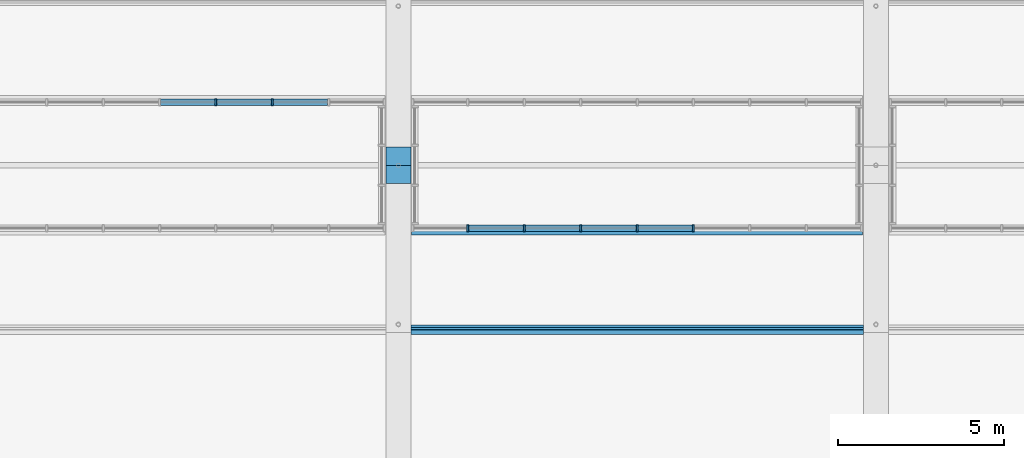
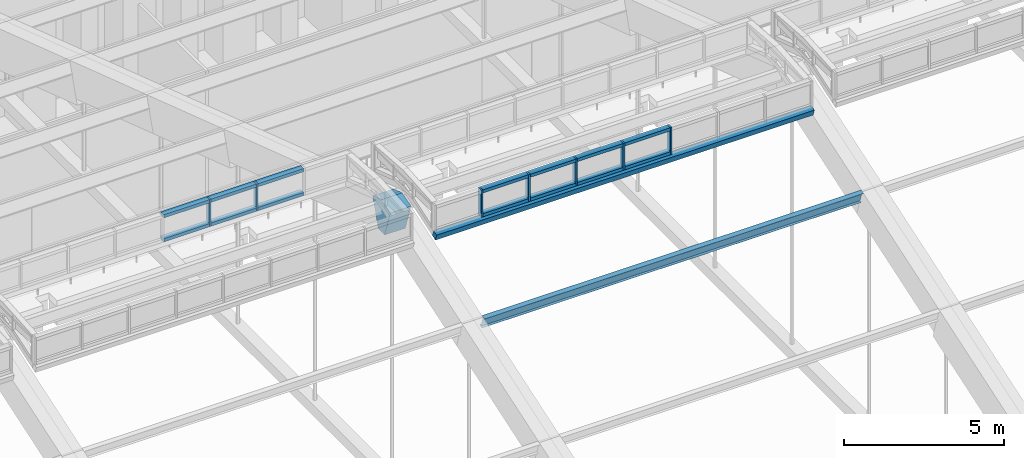
# One storey, part 58 of 149: 24 members, 2 elements without a shape of their own.
"""IFC4 building model written with IfcOpenShell, lengths in metres."""

from ifc_helpers import new_model, si_unit, direction, frame, origin, origin_2d, place, context, subcontext, project, spatial, polyline, rectangle, i_section, outline, extrude, material, material_profile, profile_set, type_object, element, aggregate, save


model = new_model("IFC4")

# Units and contexts
model_context = context("Model", 3, precision=1e-05, world=origin(), true_north=direction((0.0, 1.0)))
body_context = subcontext(model_context, "Body", "Model", "MODEL_VIEW")
ifc_project = project(units=[si_unit("LENGTHUNIT", "METRE"), si_unit("AREAUNIT", "SQUARE_METRE"), si_unit("VOLUMEUNIT", "CUBIC_METRE"), si_unit("PLANEANGLEUNIT", "RADIAN"), si_unit("MASSUNIT", "GRAM", prefix="KILO")], contexts=[model_context])

# Site, building, storey
site_placement = place(None, origin())
site = spatial("IfcSite", under=ifc_project, at=site_placement, CompositionType="ELEMENT")
building_placement = place(site_placement, origin())
building = spatial("IfcBuilding", under=site, at=building_placement, Name="Alderwick Market Hall", CompositionType="ELEMENT")
storey_placement = place(building_placement, frame((0.0, 0.0, 9.60009765625)))
storey = spatial("IfcBuildingStorey", under=building, at=storey_placement, Name="L01", CompositionType="ELEMENT", Elevation=9.60009765625)

# Curtain wall, members
ifc_material_1 = material(Name="Aluminium", Category="aluminium")
curtain_wall_type = type_object("IfcCurtainWallType", Name="R Curtain Wall Frame", PredefinedType="NOTDEFINED", material=ifc_material_1)
curtain_wall_1_placement = place(storey_placement, origin())
curtain_wall_1 = element("IfcCurtainWall", 1, at=curtain_wall_1_placement, inside=storey, type_object=curtain_wall_type, Name="Curtain wall LCW N4", PredefinedType="NOTDEFINED")
ifc_material_profile_1 = material_profile(ifc_material_1, rectangle(XDim=0.199951171875, YDim=0.06005859375, at=origin_2d()), Name="AL 60x200")
ifc_profile_set_1 = profile_set([ifc_material_profile_1], Name="Aluminium")
member_type_1 = type_object("IfcMemberType", Name="R CW Mullion 60x200", PredefinedType="MULLION", material=ifc_profile_set_1)
member_1_placement = place(storey_placement, frame((102.5, 81.10009765625, 16.670166015625), z_axis=(0.0, 0.0, 1.0), x_axis=(0.0, 1.0, 0.0)))
member_1 = element("IfcMember", 2, at=member_1_placement, type_object=member_type_1, Name="LCW N4 mullion 6", PredefinedType="MULLION", context=body_context, shape_type="SweptSolid", body=[
    extrude(rectangle(XDim=0.199951171875, YDim=0.06005859375, at=origin_2d()), origin(), (0.0, 0.0, 1.0), 1.02978515625),
])
member_2_placement = place(storey_placement, frame((104.199951171875, 81.10009765625, 16.670166015625), z_axis=(0.0, 0.0, 1.0), x_axis=(0.0, 1.0, 0.0)))
member_2 = element("IfcMember", 3, at=member_2_placement, type_object=member_type_1, Name="LCW N4 mullion 7", PredefinedType="MULLION", context=body_context, shape_type="SweptSolid", body=[
    extrude(rectangle(XDim=0.199951171875, YDim=0.06005859375, at=origin_2d()), origin(), (0.0, 0.0, 1.0), 1.02978515625),
])

curtain_wall_2_placement = place(storey_placement, origin())
curtain_wall_2 = element("IfcCurtainWall", 4, at=curtain_wall_2_placement, inside=storey, type_object=curtain_wall_type, Name="Curtain wall LCW S5", PredefinedType="NOTDEFINED")
member_3_placement = place(storey_placement, frame((110.10009765625, 77.300048828125, 16.670166015625), z_axis=(0.0, 0.0, 1.0), x_axis=(0.0, 1.0, 0.0)))
member_3 = element("IfcMember", 5, at=member_3_placement, type_object=member_type_1, Name="LCW S5 mullion 2", PredefinedType="MULLION", context=body_context, shape_type="SweptSolid", body=[
    extrude(rectangle(XDim=0.199951171875, YDim=0.06005859375, at=origin_2d()), origin(), (0.0, 0.0, 1.0), 1.02978515625),
])
member_4_placement = place(storey_placement, frame((111.800048828125, 77.300048828125, 16.670166015625), z_axis=(0.0, 0.0, 1.0), x_axis=(0.0, 1.0, 0.0)))
member_4 = element("IfcMember", 6, at=member_4_placement, type_object=member_type_1, Name="LCW S5 mullion 3", PredefinedType="MULLION", context=body_context, shape_type="SweptSolid", body=[
    extrude(rectangle(XDim=0.199951171875, YDim=0.06005859375, at=origin_2d()), origin(), (0.0, 0.0, 1.0), 1.02978515625),
])
member_5_placement = place(storey_placement, frame((113.5, 77.300048828125, 16.670166015625), z_axis=(0.0, 0.0, 1.0), x_axis=(0.0, 1.0, 0.0)))
member_5 = element("IfcMember", 7, at=member_5_placement, type_object=member_type_1, Name="LCW S5 mullion 4", PredefinedType="MULLION", context=body_context, shape_type="SweptSolid", body=[
    extrude(rectangle(XDim=0.199951171875, YDim=0.06005859375, at=origin_2d()), origin(), (0.0, 0.0, 1.0), 1.02978515625),
])
member_6_placement = place(storey_placement, frame((115.199951171875, 77.300048828125, 16.670166015625), z_axis=(0.0, 0.0, 1.0), x_axis=(0.0, 1.0, 0.0)))
member_6 = element("IfcMember", 8, at=member_6_placement, type_object=member_type_1, Name="LCW S5 mullion 5", PredefinedType="MULLION", context=body_context, shape_type="SweptSolid", body=[
    extrude(rectangle(XDim=0.199951171875, YDim=0.06005859375, at=origin_2d()), origin(), (0.0, 0.0, 1.0), 1.02978515625),
])
member_7_placement = place(storey_placement, frame((116.89990234375, 77.300048828125, 16.670166015625), z_axis=(0.0, 0.0, 1.0), x_axis=(0.0, 1.0, 0.0)))
member_7 = element("IfcMember", 9, at=member_7_placement, type_object=member_type_1, Name="LCW S5 mullion 6", PredefinedType="MULLION", context=body_context, shape_type="SweptSolid", body=[
    extrude(rectangle(XDim=0.199951171875, YDim=0.06005859375, at=origin_2d()), origin(), (0.0, 0.0, 1.0), 1.02978515625),
])

# Member
ifc_material_profile_2 = material_profile(ifc_material_1, rectangle(XDim=0.199951171875, YDim=0.1201171875, at=origin_2d()), Name="AL 120x200")
ifc_profile_set_2 = profile_set([ifc_material_profile_2], Name="Aluminium")
member_type_2 = type_object("IfcMemberType", Name="R CW Transom 120x200", PredefinedType="USERDEFINED", material=ifc_profile_set_2)
member_8_placement = place(storey_placement, frame((100.830078125, 81.10009765625, 16.730224609375), z_axis=(1.0, 0.0, 0.0), x_axis=(0.0, 1.0, 0.0)))
member_8 = element("IfcMember", 10, at=member_8_placement, type_object=member_type_2, Name="LCW N4 sill transom 5", ObjectType="TRANSOM", PredefinedType="USERDEFINED", context=body_context, shape_type="SweptSolid", body=[
    extrude(rectangle(XDim=0.199951171875, YDim=0.1201171875, at=origin_2d()), origin(), (0.0, 0.0, 1.0), 1.639892578125),
])

member_9_placement = place(storey_placement, frame((100.830078125, 81.10009765625, 17.639892578125), z_axis=(1.0, 0.0, 0.0), x_axis=(0.0, 1.0, 0.0)))
member_9 = element("IfcMember", 11, at=member_9_placement, type_object=member_type_2, Name="LCW N4 head transom 5", ObjectType="TRANSOM", PredefinedType="USERDEFINED", context=body_context, shape_type="SweptSolid", body=[
    extrude(rectangle(XDim=0.199951171875, YDim=0.1201171875, at=origin_2d()), origin(), (0.0, 0.0, 1.0), 1.639892578125),
])

member_10_placement = place(storey_placement, frame((102.530029296875, 81.10009765625, 16.730224609375), z_axis=(1.0, 0.0, 0.0), x_axis=(0.0, 1.0, 0.0)))
member_10 = element("IfcMember", 12, at=member_10_placement, type_object=member_type_2, Name="LCW N4 sill transom 6", ObjectType="TRANSOM", PredefinedType="USERDEFINED", context=body_context, shape_type="SweptSolid", body=[
    extrude(rectangle(XDim=0.199951171875, YDim=0.1201171875, at=origin_2d()), origin(), (0.0, 0.0, 1.0), 1.639892578125),
])

member_11_placement = place(storey_placement, frame((102.530029296875, 81.10009765625, 17.639892578125), z_axis=(1.0, 0.0, 0.0), x_axis=(0.0, 1.0, 0.0)))
member_11 = element("IfcMember", 13, at=member_11_placement, type_object=member_type_2, Name="LCW N4 head transom 6", ObjectType="TRANSOM", PredefinedType="USERDEFINED", context=body_context, shape_type="SweptSolid", body=[
    extrude(rectangle(XDim=0.199951171875, YDim=0.1201171875, at=origin_2d()), origin(), (0.0, 0.0, 1.0), 1.639892578125),
])

member_12_placement = place(storey_placement, frame((104.22998046875, 81.10009765625, 16.730224609375), z_axis=(1.0, 0.0, 0.0), x_axis=(0.0, 1.0, 0.0)))
member_12 = element("IfcMember", 14, at=member_12_placement, type_object=member_type_2, Name="LCW N4 sill transom 7", ObjectType="TRANSOM", PredefinedType="USERDEFINED", context=body_context, shape_type="SweptSolid", body=[
    extrude(rectangle(XDim=0.199951171875, YDim=0.1201171875, at=origin_2d()), origin(), (0.0, 0.0, 1.0), 1.64013671875),
])

member_13_placement = place(storey_placement, frame((104.22998046875, 81.10009765625, 17.639892578125), z_axis=(1.0, 0.0, 0.0), x_axis=(0.0, 1.0, 0.0)))
member_13 = element("IfcMember", 15, at=member_13_placement, type_object=member_type_2, Name="LCW N4 head transom 7", ObjectType="TRANSOM", PredefinedType="USERDEFINED", context=body_context, shape_type="SweptSolid", body=[
    extrude(rectangle(XDim=0.199951171875, YDim=0.1201171875, at=origin_2d()), origin(), (0.0, 0.0, 1.0), 1.64013671875),
])

aggregate(curtain_wall_1, [member_1, member_2, member_8, member_9, member_10, member_11, member_12, member_13])

member_14_placement = place(storey_placement, frame((110.1298828125, 77.300048828125, 16.730224609375), z_axis=(1.0, 0.0, 0.0), x_axis=(0.0, 1.0, 0.0)))
member_14 = element("IfcMember", 16, at=member_14_placement, type_object=member_type_2, Name="LCW S5 sill transom 2", ObjectType="TRANSOM", PredefinedType="USERDEFINED", context=body_context, shape_type="SweptSolid", body=[
    extrude(rectangle(XDim=0.199951171875, YDim=0.1201171875, at=origin_2d()), origin(), (0.0, 0.0, 1.0), 1.64013671875),
])

member_15_placement = place(storey_placement, frame((110.1298828125, 77.300048828125, 17.639892578125), z_axis=(1.0, 0.0, 0.0), x_axis=(0.0, 1.0, 0.0)))
member_15 = element("IfcMember", 17, at=member_15_placement, type_object=member_type_2, Name="LCW S5 head transom 2", ObjectType="TRANSOM", PredefinedType="USERDEFINED", context=body_context, shape_type="SweptSolid", body=[
    extrude(rectangle(XDim=0.199951171875, YDim=0.1201171875, at=origin_2d()), origin(), (0.0, 0.0, 1.0), 1.64013671875),
])

member_16_placement = place(storey_placement, frame((111.830078125, 77.300048828125, 16.730224609375), z_axis=(1.0, 0.0, 0.0), x_axis=(0.0, 1.0, 0.0)))
member_16 = element("IfcMember", 18, at=member_16_placement, type_object=member_type_2, Name="LCW S5 sill transom 3", ObjectType="TRANSOM", PredefinedType="USERDEFINED", context=body_context, shape_type="SweptSolid", body=[
    extrude(rectangle(XDim=0.199951171875, YDim=0.1201171875, at=origin_2d()), origin(), (0.0, 0.0, 1.0), 1.639892578125),
])

member_17_placement = place(storey_placement, frame((111.830078125, 77.300048828125, 17.639892578125), z_axis=(1.0, 0.0, 0.0), x_axis=(0.0, 1.0, 0.0)))
member_17 = element("IfcMember", 19, at=member_17_placement, type_object=member_type_2, Name="LCW S5 head transom 3", ObjectType="TRANSOM", PredefinedType="USERDEFINED", context=body_context, shape_type="SweptSolid", body=[
    extrude(rectangle(XDim=0.199951171875, YDim=0.1201171875, at=origin_2d()), origin(), (0.0, 0.0, 1.0), 1.639892578125),
])

member_18_placement = place(storey_placement, frame((113.530029296875, 77.300048828125, 16.730224609375), z_axis=(1.0, 0.0, 0.0), x_axis=(0.0, 1.0, 0.0)))
member_18 = element("IfcMember", 20, at=member_18_placement, type_object=member_type_2, Name="LCW S5 sill transom 4", ObjectType="TRANSOM", PredefinedType="USERDEFINED", context=body_context, shape_type="SweptSolid", body=[
    extrude(rectangle(XDim=0.199951171875, YDim=0.1201171875, at=origin_2d()), origin(), (0.0, 0.0, 1.0), 1.639892578125),
])

member_19_placement = place(storey_placement, frame((113.530029296875, 77.300048828125, 17.639892578125), z_axis=(1.0, 0.0, 0.0), x_axis=(0.0, 1.0, 0.0)))
member_19 = element("IfcMember", 21, at=member_19_placement, type_object=member_type_2, Name="LCW S5 head transom 4", ObjectType="TRANSOM", PredefinedType="USERDEFINED", context=body_context, shape_type="SweptSolid", body=[
    extrude(rectangle(XDim=0.199951171875, YDim=0.1201171875, at=origin_2d()), origin(), (0.0, 0.0, 1.0), 1.639892578125),
])

member_20_placement = place(storey_placement, frame((115.22998046875, 77.300048828125, 16.730224609375), z_axis=(1.0, 0.0, 0.0), x_axis=(0.0, 1.0, 0.0)))
member_20 = element("IfcMember", 22, at=member_20_placement, type_object=member_type_2, Name="LCW S5 sill transom 5", ObjectType="TRANSOM", PredefinedType="USERDEFINED", context=body_context, shape_type="SweptSolid", body=[
    extrude(rectangle(XDim=0.199951171875, YDim=0.1201171875, at=origin_2d()), origin(), (0.0, 0.0, 1.0), 1.64013671875),
])

member_21_placement = place(storey_placement, frame((115.22998046875, 77.300048828125, 17.639892578125), z_axis=(1.0, 0.0, 0.0), x_axis=(0.0, 1.0, 0.0)))
member_21 = element("IfcMember", 23, at=member_21_placement, type_object=member_type_2, Name="LCW S5 head transom 5", ObjectType="TRANSOM", PredefinedType="USERDEFINED", context=body_context, shape_type="SweptSolid", body=[
    extrude(rectangle(XDim=0.199951171875, YDim=0.1201171875, at=origin_2d()), origin(), (0.0, 0.0, 1.0), 1.64013671875),
])

ifc_material_2 = material(Name="Concrete 5000 psi (f'c 35 MPa)", Category="concrete")
ifc_material_profile_3 = material_profile(ifc_material_2, outline(polyline([(-0.199951171875, 0.0), (-0.5478515625, 1.04345703125), (0.0, 1.22607421875), (0.5478515625, 1.04345703125), (0.199951171875, 0.0), (-0.199951171875, 0.0)])), Name="RC crown knuckle")
ifc_profile_set_3 = profile_set([ifc_material_profile_3], Name="Concrete 5000 psi (f'c 35 MPa)")
member_type_3 = type_object("IfcMemberType", Name="R Crown Knuckle 750", PredefinedType="MEMBER", material=ifc_profile_set_3)
member_22_placement = place(storey_placement, frame((107.625, 79.199951171875, 15.764404296875), z_axis=(1.0, 0.0, 0.0), x_axis=(0.0, 1.0, 0.0)))
element("IfcMember", 24, at=member_22_placement, inside=storey, type_object=member_type_3, Name="Crown knuckle 5", PredefinedType="MEMBER", context=body_context, shape_type="SweptSolid", body=[
    extrude(outline(polyline([(-0.199951171875, 0.0), (-0.5478515625, 1.04345703125), (0.0, 1.22607421875), (0.5478515625, 1.04345703125), (0.199951171875, 0.0), (-0.199951171875, 0.0)])), origin(), (0.0, 0.0, 1.0), 0.75),
])

ifc_material_3 = material(Name="Steel ASTM A572 Grade 50", Category="steel")
ifc_material_profile_4 = material_profile(ifc_material_3, rectangle(XDim=0.199951171875, YDim=0.25, at=origin_2d()), Name="Steel plate curb 200x250")
ifc_profile_set_4 = profile_set([ifc_material_profile_4], Name="Steel ASTM A572 Grade 50")
member_type_4 = type_object("IfcMemberType", Name="R Lantern Curb 200x250", PredefinedType="MEMBER", material=ifc_profile_set_4)
member_23_placement = place(storey_placement, frame((108.39990234375, 77.235107421875, 16.551513671875), z_axis=(1.0, 0.0, 0.0), x_axis=(0.0, 0.948683297073, 0.316227768949)))
member_23 = element("IfcMember", 25, at=member_23_placement, type_object=member_type_4, Name="Lantern curb S5", PredefinedType="MEMBER", context=body_context, shape_type="SweptSolid", body=[
    extrude(rectangle(XDim=0.199951171875, YDim=0.25, at=origin_2d()), origin(), (0.0, 0.0, 1.0), 13.60009765625),
])

aggregate(curtain_wall_2, [member_3, member_4, member_5, member_6, member_7, member_14, member_15, member_16, member_17, member_18, member_19, member_20, member_21, member_23])

ifc_material_4 = material(Name="Steel ASTM A992 Grade 50", Category="steel")
ifc_material_profile_5 = material_profile(ifc_material_4, i_section(OverallWidth=0.153076171875, OverallDepth=0.455078125, WebThickness=0.008056640625, FlangeThickness=0.01318359375, at=origin_2d()), Name="W18x40")
ifc_profile_set_5 = profile_set([ifc_material_profile_5], Name="Steel ASTM A992 Grade 50")
member_type_5 = type_object("IfcMemberType", Name="R Purlin W18x40", PredefinedType="PURLIN", material=ifc_profile_set_5)
member_24_placement = place(storey_placement, frame((108.375, 74.236572265625, 15.08984375), z_axis=(1.0, 0.0, 0.0), x_axis=(0.0, 0.948683297073, 0.316227768949)))
element("IfcMember", 26, at=member_24_placement, inside=storey, type_object=member_type_5, Name="Roof purlin 6.5", PredefinedType="PURLIN", context=body_context, shape_type="SweptSolid", body=[
    extrude(i_section(OverallWidth=0.153076171875, OverallDepth=0.455078125, WebThickness=0.008056640625, FlangeThickness=0.01318359375, at=origin_2d()), origin(), (0.0, 0.0, 1.0), 13.64990234375),
])

save(model, "model.ifc")
